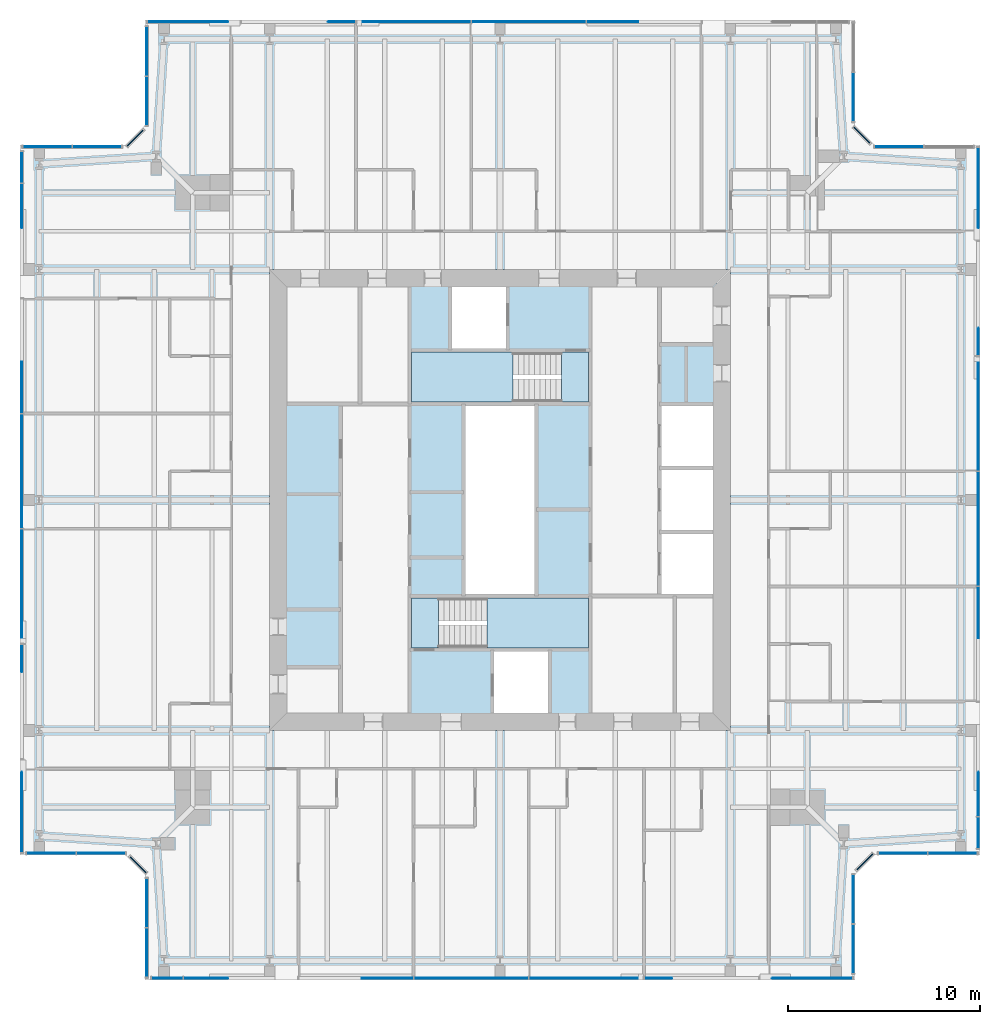
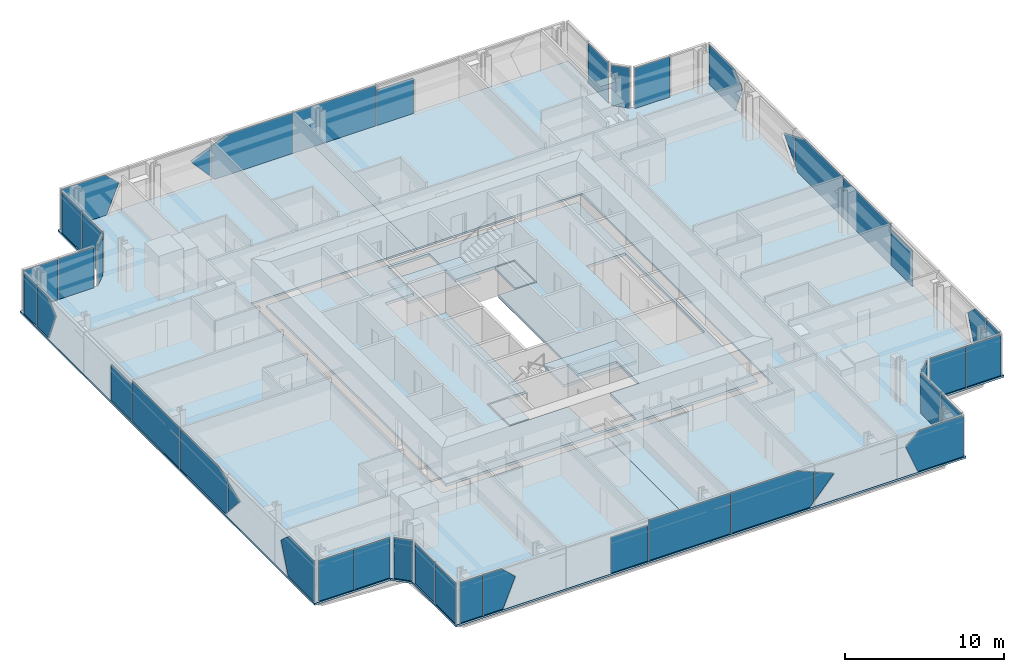
# One storey, part 10 of 18: 44 plates, 7 slabs, 18 elements without a shape of their own.
"""IFC4 building model written with IfcOpenShell, lengths in metres."""

from ifc_helpers import new_model, si_unit, direction, frame, origin, origin_2d, place, context, subcontext, project, spatial, polyline, rectangle, outline, extrude, material, layer, layer_set, type_object, element, aggregate, save


model = new_model("IFC4")

# Units and contexts
model_context = context("Model", 3, precision=1e-05, world=origin(), true_north=direction((0.0, 1.0)))
body_context = subcontext(model_context, "Body", "Model", "MODEL_VIEW")
ifc_project = project(units=[si_unit("LENGTHUNIT", "METRE"), si_unit("AREAUNIT", "SQUARE_METRE"), si_unit("VOLUMEUNIT", "CUBIC_METRE"), si_unit("PLANEANGLEUNIT", "RADIAN"), si_unit("MASSUNIT", "GRAM", prefix="KILO")], contexts=[model_context])

# Site, building, storey
site_placement = place(None, origin())
site = spatial("IfcSite", under=ifc_project, at=site_placement, CompositionType="ELEMENT")
building_placement = place(site_placement, origin())
building = spatial("IfcBuilding", under=site, at=building_placement, Name="Fenwick Lantern Interchange", CompositionType="ELEMENT")
storey_placement = place(building_placement, frame((0.0, 0.0, 293.39990234375)))
storey = spatial("IfcBuildingStorey", under=building, at=storey_placement, Name="L71", CompositionType="ELEMENT", Elevation=293.39990234375)

# Slabs
ifc_material_1 = material(Name="Concrete f'c 35 MPa", Category="concrete")
ifc_layer_1 = layer(ifc_material_1, 0.199951171875)
ifc_layer_set_1 = layer_set([ifc_layer_1], Name="CORE FLOOR SLAB 200")
slab_type_1 = type_object("IfcSlabType", Name="CORE FLOOR SLAB 200", PredefinedType="FLOOR", material=ifc_layer_set_1)
slab_1_placement = place(storey_placement, frame((0.0, 0.0, -0.199951171875)))
element("IfcSlab", 1, at=slab_1_placement, inside=storey, type_object=slab_type_1, Name="L71/SLAB/CORE", PredefinedType="FLOOR", context=body_context, shape_type="SweptSolid", body=[
    extrude(outline(polyline([(13.699951171875, 36.300048828125), (36.300048828125, 36.300048828125), (36.300048828125, 13.699951171875), (13.699951171875, 13.699951171875), (13.699951171875, 36.300048828125)]), holes=[polyline([(24.60009765625, 13.89990234375), (27.60009765625, 13.89990234375), (27.60009765625, 17.199951171875), (29.699951171875, 17.199951171875), (29.699951171875, 20.0), (26.89990234375, 20.0), (26.89990234375, 30.0), (29.699951171875, 30.0), (29.699951171875, 32.800048828125), (25.39990234375, 32.800048828125), (25.39990234375, 36.10009765625), (22.39990234375, 36.10009765625), (22.39990234375, 32.800048828125), (20.300048828125, 32.800048828125), (20.300048828125, 30.0), (23.10009765625, 30.0), (23.10009765625, 20.0), (20.300048828125, 20.0), (20.300048828125, 17.199951171875), (24.60009765625, 17.199951171875), (24.60009765625, 13.89990234375)]), polyline([(33.300048828125, 20.0), (36.10009765625, 20.0), (36.10009765625, 23.333251953125), (36.10009765625, 26.666748046875), (36.10009765625, 30.0), (33.300048828125, 30.0), (33.300048828125, 26.666748046875), (33.300048828125, 23.333251953125), (33.300048828125, 20.0)])]), origin(), (0.0, 0.0, 1.0), 0.199951171875),
])
ifc_material_2 = material(Name="Concrete f'c 35 MPa", Category="concrete")
ifc_layer_2 = layer(ifc_material_2, 0.14990234375)
ifc_layer_set_2 = layer_set([ifc_layer_2], Name="Concrete f'c 35 MPa")
slab_type_2 = type_object("IfcSlabType", Name="FLOOR SLAB 150", PredefinedType="FLOOR", material=ifc_layer_set_2)
slab_2_placement = place(storey_placement, frame((0.0, 0.0, -0.14990234375)))
element("IfcSlab", 2, at=slab_2_placement, inside=storey, type_object=slab_type_2, Name="L71/SLAB/FW", PredefinedType="FLOOR", context=body_context, shape_type="SweptSolid", body=[
    extrude(outline(polyline([(6.5, 0.0), (6.5, 5.5), (5.5, 6.5), (0.0, 6.5), (0.0, 43.5), (5.5, 43.5), (6.5, 44.5), (6.5, 50.0), (25.0, 50.0), (25.0, 37.0), (13.0, 37.0), (13.0, 13.0), (25.0, 13.0), (25.0, 0.0), (6.5, 0.0)])), origin(), (0.0, 0.0, 1.0), 0.14990234375),
])
slab_3_placement = place(storey_placement, frame((0.0, 0.0, -0.14990234375)))
element("IfcSlab", 3, at=slab_3_placement, inside=storey, type_object=slab_type_2, Name="L71/SLAB/FE", PredefinedType="FLOOR", context=body_context, shape_type="SweptSolid", body=[
    extrude(outline(polyline([(43.5, 50.0), (43.5, 44.5), (44.5, 43.5), (50.0, 43.5), (50.0, 6.5), (44.5, 6.5), (43.5, 5.5), (43.5, 0.0), (25.0, 0.0), (25.0, 13.0), (37.0, 13.0), (37.0, 37.0), (25.0, 37.0), (25.0, 50.0), (43.5, 50.0)])), origin(), (0.0, 0.0, 1.0), 0.14990234375),
])

# Curtain wall, plates
ifc_material_3 = material(Name="Aluminium curtain wall frame", Category="aluminium")
curtain_wall_type = type_object("IfcCurtainWallType", Name="HOTEL CURTAIN WALL", PredefinedType="USERDEFINED", material=ifc_material_3)
curtain_wall_1_placement = place(storey_placement, origin())
curtain_wall_1 = element("IfcCurtainWall", 4, at=curtain_wall_1_placement, inside=storey, type_object=curtain_wall_type, Name="Hotel curtain wall 01", ObjectType="HOTEL CURTAIN WALL", PredefinedType="USERDEFINED")
ifc_material_4 = material(Name="Vision glass, acoustic laminated double glazed unit", Category="glass")
ifc_layer_3 = layer(ifc_material_4, 0.052001953125)
ifc_layer_set_3 = layer_set([ifc_layer_3], Name="HOTEL CURTAIN WALL PANEL 52")
plate_type = type_object("IfcPlateType", Name="HOTEL CURTAIN WALL PANEL 52", PredefinedType="CURTAIN_PANEL", material=ifc_layer_set_3)
plate_1_placement = place(storey_placement, frame((7.6650390625, 0.10009765625, 0.0), z_axis=(0.0, 0.0, 1.0), x_axis=(1.0, 0.0, 0.0)))
plate_1 = element("IfcPlate", 5, at=plate_1_placement, type_object=plate_type, Name="L71/CW/01/P00", PredefinedType="CURTAIN_PANEL", context=body_context, shape_type="SweptSolid", body=[
    extrude(rectangle(XDim=1.610107421875, YDim=0.052001953125, at=origin_2d()), origin(), (0.0, 0.0, 1.0), 3.10009765625),
])
plate_2_placement = place(storey_placement, frame((6.60009765625, 0.10009765625, 0.0), z_axis=(0.0, 0.0, 1.0), x_axis=(1.0, 0.0, 0.0)))
plate_2 = element("IfcPlate", 6, at=plate_2_placement, type_object=plate_type, Name="L71/CW/01/P01a", PredefinedType="CURTAIN_PANEL", context=body_context, shape_type="SweptSolid", body=[
    extrude(outline(polyline([(1.929931640625, 0.0), (3.36328125, 0.0), (4.258056640625, 2.193603515625), (3.260986328125, 3.10009765625), (1.929931640625, 3.10009765625), (1.929931640625, 0.0)])), frame((0.0, 0.02587890625, 0.0), z_axis=(0.0, -1.0, 0.0), x_axis=(1.0, 0.0, 0.0)), (0.0, 0.0, 1.0), 0.052001953125),
])
plate_3_placement = place(storey_placement, frame((6.60009765625, 0.10009765625, 0.0), z_axis=(0.0, 0.0, 1.0), x_axis=(1.0, 0.0, 0.0)))
plate_3 = element("IfcPlate", 7, at=plate_3_placement, type_object=plate_type, Name="L71/CW/01/P02a", PredefinedType="CURTAIN_PANEL", context=body_context, shape_type="SweptSolid", body=[
    extrude(outline(polyline([(11.193603515625, 0.0), (13.8701171875, 0.0), (13.8701171875, 2.7265625), (11.193603515625, 2.7265625), (11.193603515625, 0.0)])), frame((0.0, 0.02587890625, 0.0), z_axis=(0.0, -1.0, 0.0), x_axis=(1.0, 0.0, 0.0)), (0.0, 0.0, 1.0), 0.052001953125),
])
plate_4_placement = place(storey_placement, frame((23.5, 0.10009765625, 0.0), z_axis=(0.0, 0.0, 1.0), x_axis=(1.0, 0.0, 0.0)))
plate_4 = element("IfcPlate", 8, at=plate_4_placement, type_object=plate_type, Name="L71/CW/01/P03", PredefinedType="CURTAIN_PANEL", context=body_context, shape_type="SweptSolid", body=[
    extrude(rectangle(XDim=5.93994140625, YDim=0.052001953125, at=origin_2d()), origin(), (0.0, 0.0, 1.0), 3.10009765625),
])
plate_5_placement = place(storey_placement, frame((6.60009765625, 0.10009765625, 0.0), z_axis=(0.0, 0.0, 1.0), x_axis=(1.0, 0.0, 0.0)))
plate_5 = element("IfcPlate", 9, at=plate_5_placement, type_object=plate_type, Name="L71/CW/01/P04a", PredefinedType="CURTAIN_PANEL", context=body_context, shape_type="SweptSolid", body=[
    extrude(outline(polyline([(19.929931640625, 0.0), (25.6064453125, 0.0), (25.8701171875, 0.296142578125), (25.8701171875, 2.61669921875), (24.709716796875, 3.10009765625), (19.929931640625, 3.10009765625), (19.929931640625, 0.0)])), frame((0.0, 0.02587890625, 0.0), z_axis=(0.0, -1.0, 0.0), x_axis=(1.0, 0.0, 0.0)), (0.0, 0.0, 1.0), 0.052001953125),
])
plate_6_placement = place(storey_placement, frame((6.60009765625, 0.10009765625, 0.363525390625), z_axis=(0.0, 0.0, 1.0), x_axis=(1.0, 0.0, 0.0)))
plate_6 = element("IfcPlate", 10, at=plate_6_placement, type_object=plate_type, Name="L71/CW/01/P05a", PredefinedType="CURTAIN_PANEL", context=body_context, shape_type="SweptSolid", body=[
    extrude(outline(polyline([(25.929931640625, 0.0), (27.37646484375, 1.62548828125), (25.929931640625, 2.22802734375), (25.929931640625, 0.0)])), frame((0.0, 0.02587890625, 0.0), z_axis=(0.0, -1.0, 0.0), x_axis=(1.0, 0.0, 0.0)), (0.0, 0.0, 1.0), 0.052001953125),
])
plate_7_placement = place(storey_placement, frame((6.60009765625, 0.10009765625, 0.0), z_axis=(0.0, 0.0, 1.0), x_axis=(1.0, 0.0, 0.0)))
plate_7 = element("IfcPlate", 11, at=plate_7_placement, type_object=plate_type, Name="L71/CW/01/P06a", PredefinedType="CURTAIN_PANEL", context=body_context, shape_type="SweptSolid", body=[
    extrude(outline(polyline([(33.4365234375, 0.0), (36.739990234375, 0.0), (36.739990234375, 3.10009765625), (33.5390625, 3.10009765625), (32.5419921875, 2.193603515625), (33.4365234375, 0.0)])), frame((0.0, 0.02587890625, 0.0), z_axis=(0.0, -1.0, 0.0), x_axis=(1.0, 0.0, 0.0)), (0.0, 0.0, 1.0), 0.052001953125),
])
aggregate(curtain_wall_1, [plate_1, plate_2, plate_3, plate_4, plate_5, plate_6, plate_7])

curtain_wall_2_placement = place(storey_placement, origin())
curtain_wall_2 = element("IfcCurtainWall", 12, at=curtain_wall_2_placement, inside=storey, type_object=curtain_wall_type, Name="Hotel curtain wall 02", ObjectType="HOTEL CURTAIN WALL", PredefinedType="USERDEFINED")
plate_8_placement = place(storey_placement, frame((43.39990234375, 1.625244140625, 0.0), z_axis=(0.0, 0.0, 1.0), x_axis=(0.0, 1.0, 0.0)))
plate_8 = element("IfcPlate", 13, at=plate_8_placement, type_object=plate_type, Name="L71/CW/02/P00", PredefinedType="CURTAIN_PANEL", context=body_context, shape_type="SweptSolid", body=[
    extrude(rectangle(XDim=2.53076171875, YDim=0.052001953125, at=origin_2d()), origin(), (0.0, 0.0, 1.0), 3.10009765625),
])
plate_9_placement = place(storey_placement, frame((43.39990234375, 4.216064453125, 0.0), z_axis=(0.0, 0.0, 1.0), x_axis=(0.0, 1.0, 0.0)))
plate_9 = element("IfcPlate", 14, at=plate_9_placement, type_object=plate_type, Name="L71/CW/02/P01", PredefinedType="CURTAIN_PANEL", context=body_context, shape_type="SweptSolid", body=[
    extrude(rectangle(XDim=2.53076171875, YDim=0.052001953125, at=origin_2d()), origin(), (0.0, 0.0, 1.0), 3.10009765625),
])
aggregate(curtain_wall_2, [plate_8, plate_9])

# Curtain wall, plate
curtain_wall_3_placement = place(storey_placement, origin())
curtain_wall_3 = element("IfcCurtainWall", 15, at=curtain_wall_3_placement, inside=storey, type_object=curtain_wall_type, Name="Hotel curtain wall 03", ObjectType="HOTEL CURTAIN WALL", PredefinedType="USERDEFINED")
plate_10_placement = place(storey_placement, frame((44.0, 6.141357421875, 0.0), z_axis=(0.0, 0.0, 1.0), x_axis=(0.707106781187, 0.707106781187, 0.0)))
plate_10 = element("IfcPlate", 16, at=plate_10_placement, type_object=plate_type, Name="L71/CW/03/P00", PredefinedType="CURTAIN_PANEL", context=body_context, shape_type="SweptSolid", body=[
    extrude(rectangle(XDim=1.177001953125, YDim=0.052001953125, at=origin_2d()), origin(), (0.0, 0.0, 1.0), 3.10009765625),
])
aggregate(curtain_wall_3, [plate_10])

# Curtain wall, plates
curtain_wall_4_placement = place(storey_placement, origin())
curtain_wall_4 = element("IfcCurtainWall", 17, at=curtain_wall_4_placement, inside=storey, type_object=curtain_wall_type, Name="Hotel curtain wall 04", ObjectType="HOTEL CURTAIN WALL", PredefinedType="USERDEFINED")
plate_11_placement = place(storey_placement, frame((45.98388671875, 6.60009765625, 0.0), z_axis=(0.0, 0.0, 1.0), x_axis=(1.0, 0.0, 0.0)))
plate_11 = element("IfcPlate", 18, at=plate_11_placement, type_object=plate_type, Name="L71/CW/04/P00", PredefinedType="CURTAIN_PANEL", context=body_context, shape_type="SweptSolid", body=[
    extrude(rectangle(XDim=2.53076171875, YDim=0.052001953125, at=origin_2d()), origin(), (0.0, 0.0, 1.0), 3.10009765625),
])
plate_12_placement = place(storey_placement, frame((48.57470703125, 6.60009765625, 0.0), z_axis=(0.0, 0.0, 1.0), x_axis=(1.0, 0.0, 0.0)))
plate_12 = element("IfcPlate", 19, at=plate_12_placement, type_object=plate_type, Name="L71/CW/04/P01", PredefinedType="CURTAIN_PANEL", context=body_context, shape_type="SweptSolid", body=[
    extrude(rectangle(XDim=2.53076171875, YDim=0.052001953125, at=origin_2d()), origin(), (0.0, 0.0, 1.0), 3.10009765625),
])
aggregate(curtain_wall_4, [plate_11, plate_12])

curtain_wall_5_placement = place(storey_placement, origin())
curtain_wall_5 = element("IfcCurtainWall", 20, at=curtain_wall_5_placement, inside=storey, type_object=curtain_wall_type, Name="Hotel curtain wall 05", ObjectType="HOTEL CURTAIN WALL", PredefinedType="USERDEFINED")
plate_13_placement = place(storey_placement, frame((49.89990234375, 7.6650390625, 0.0), z_axis=(0.0, 0.0, 1.0), x_axis=(0.0, 1.0, 0.0)))
plate_13 = element("IfcPlate", 21, at=plate_13_placement, type_object=plate_type, Name="L71/CW/05/P00", PredefinedType="CURTAIN_PANEL", context=body_context, shape_type="SweptSolid", body=[
    extrude(rectangle(XDim=1.610107421875, YDim=0.052001953125, at=origin_2d()), origin(), (0.0, 0.0, 1.0), 3.10009765625),
])
plate_14_placement = place(storey_placement, frame((49.89990234375, 6.60009765625, 0.0), z_axis=(0.0, 0.0, 1.0), x_axis=(0.0, 1.0, 0.0)))
plate_14 = element("IfcPlate", 22, at=plate_14_placement, type_object=plate_type, Name="L71/CW/05/P01a", PredefinedType="CURTAIN_PANEL", context=body_context, shape_type="SweptSolid", body=[
    extrude(outline(polyline([(1.929931640625, 0.0), (3.36328125, 0.0), (4.258056640625, 2.193603515625), (3.260986328125, 3.10009765625), (1.929931640625, 3.10009765625), (1.929931640625, 0.0)])), frame((0.0, 0.02587890625, 0.0), z_axis=(0.0, -1.0, 0.0), x_axis=(1.0, 0.0, 0.0)), (0.0, 0.0, 1.0), 0.052001953125),
])
plate_15_placement = place(storey_placement, frame((49.89990234375, 6.60009765625, 0.0), z_axis=(0.0, 0.0, 1.0), x_axis=(0.0, 1.0, 0.0)))
plate_15 = element("IfcPlate", 23, at=plate_15_placement, type_object=plate_type, Name="L71/CW/05/P02a", PredefinedType="CURTAIN_PANEL", context=body_context, shape_type="SweptSolid", body=[
    extrude(outline(polyline([(11.193603515625, 0.0), (13.8701171875, 0.0), (13.8701171875, 2.7265625), (11.193603515625, 2.7265625), (11.193603515625, 0.0)])), frame((0.0, 0.02587890625, 0.0), z_axis=(0.0, -1.0, 0.0), x_axis=(1.0, 0.0, 0.0)), (0.0, 0.0, 1.0), 0.052001953125),
])
plate_16_placement = place(storey_placement, frame((49.89990234375, 23.5, 0.0), z_axis=(0.0, 0.0, 1.0), x_axis=(0.0, 1.0, 0.0)))
plate_16 = element("IfcPlate", 24, at=plate_16_placement, type_object=plate_type, Name="L71/CW/05/P03", PredefinedType="CURTAIN_PANEL", context=body_context, shape_type="SweptSolid", body=[
    extrude(rectangle(XDim=5.93994140625, YDim=0.052001953125, at=origin_2d()), origin(), (0.0, 0.0, 1.0), 3.10009765625),
])
plate_17_placement = place(storey_placement, frame((49.89990234375, 6.60009765625, 0.0), z_axis=(0.0, 0.0, 1.0), x_axis=(0.0, 1.0, 0.0)))
plate_17 = element("IfcPlate", 25, at=plate_17_placement, type_object=plate_type, Name="L71/CW/05/P04a", PredefinedType="CURTAIN_PANEL", context=body_context, shape_type="SweptSolid", body=[
    extrude(outline(polyline([(19.929931640625, 0.0), (25.6064453125, 0.0), (25.8701171875, 0.296142578125), (25.8701171875, 2.61669921875), (24.709716796875, 3.10009765625), (19.929931640625, 3.10009765625), (19.929931640625, 0.0)])), frame((0.0, 0.02587890625, 0.0), z_axis=(0.0, -1.0, 0.0), x_axis=(1.0, 0.0, 0.0)), (0.0, 0.0, 1.0), 0.052001953125),
])
plate_18_placement = place(storey_placement, frame((49.89990234375, 6.60009765625, 0.363525390625), z_axis=(0.0, 0.0, 1.0), x_axis=(0.0, 1.0, 0.0)))
plate_18 = element("IfcPlate", 26, at=plate_18_placement, type_object=plate_type, Name="L71/CW/05/P05a", PredefinedType="CURTAIN_PANEL", context=body_context, shape_type="SweptSolid", body=[
    extrude(outline(polyline([(25.929931640625, 0.0), (27.37646484375, 1.62548828125), (25.929931640625, 2.22802734375), (25.929931640625, 0.0)])), frame((0.0, 0.02587890625, 0.0), z_axis=(0.0, -1.0, 0.0), x_axis=(1.0, 0.0, 0.0)), (0.0, 0.0, 1.0), 0.052001953125),
])
plate_19_placement = place(storey_placement, frame((49.89990234375, 6.60009765625, 0.0), z_axis=(0.0, 0.0, 1.0), x_axis=(0.0, 1.0, 0.0)))
plate_19 = element("IfcPlate", 27, at=plate_19_placement, type_object=plate_type, Name="L71/CW/05/P06a", PredefinedType="CURTAIN_PANEL", context=body_context, shape_type="SweptSolid", body=[
    extrude(outline(polyline([(33.4365234375, 0.0), (36.739990234375, 0.0), (36.739990234375, 3.10009765625), (33.5390625, 3.10009765625), (32.5419921875, 2.193603515625), (33.4365234375, 0.0)])), frame((0.0, 0.02587890625, 0.0), z_axis=(0.0, -1.0, 0.0), x_axis=(1.0, 0.0, 0.0)), (0.0, 0.0, 1.0), 0.052001953125),
])
aggregate(curtain_wall_5, [plate_13, plate_14, plate_15, plate_16, plate_17, plate_18, plate_19])

# Curtain wall, plate
curtain_wall_6_placement = place(storey_placement, origin())
curtain_wall_6 = element("IfcCurtainWall", 28, at=curtain_wall_6_placement, inside=storey, type_object=curtain_wall_type, Name="Hotel curtain wall 06", ObjectType="HOTEL CURTAIN WALL", PredefinedType="USERDEFINED")
plate_20_placement = place(storey_placement, frame((45.783935546875, 43.39990234375, 0.0), z_axis=(0.0, 0.0, 1.0), x_axis=(-1.0, 0.0, 0.0)))
plate_20 = element("IfcPlate", 29, at=plate_20_placement, type_object=plate_type, Name="L71/CW/06/P01", PredefinedType="CURTAIN_PANEL", context=body_context, shape_type="SweptSolid", body=[
    extrude(rectangle(XDim=2.53076171875, YDim=0.052001953125, at=origin_2d()), origin(), (0.0, 0.0, 1.0), 3.10009765625),
])
aggregate(curtain_wall_6, [plate_20])

curtain_wall_7_placement = place(storey_placement, origin())
curtain_wall_7 = element("IfcCurtainWall", 30, at=curtain_wall_7_placement, inside=storey, type_object=curtain_wall_type, Name="Hotel curtain wall 07", ObjectType="HOTEL CURTAIN WALL", PredefinedType="USERDEFINED")
plate_21_placement = place(storey_placement, frame((43.858642578125, 44.0, 0.0), z_axis=(0.0, 0.0, 1.0), x_axis=(-0.707106781187, 0.707106781187, 0.0)))
plate_21 = element("IfcPlate", 31, at=plate_21_placement, type_object=plate_type, Name="L71/CW/07/P00", PredefinedType="CURTAIN_PANEL", context=body_context, shape_type="SweptSolid", body=[
    extrude(rectangle(XDim=1.177001953125, YDim=0.052001953125, at=origin_2d()), origin(), (0.0, 0.0, 1.0), 3.10009765625),
])
aggregate(curtain_wall_7, [plate_21])

curtain_wall_8_placement = place(storey_placement, origin())
curtain_wall_8 = element("IfcCurtainWall", 32, at=curtain_wall_8_placement, inside=storey, type_object=curtain_wall_type, Name="Hotel curtain wall 08", ObjectType="HOTEL CURTAIN WALL", PredefinedType="USERDEFINED")
plate_22_placement = place(storey_placement, frame((43.39990234375, 45.98388671875, 0.0), z_axis=(0.0, 0.0, 1.0), x_axis=(0.0, 1.0, 0.0)))
plate_22 = element("IfcPlate", 33, at=plate_22_placement, type_object=plate_type, Name="L71/CW/08/P00", PredefinedType="CURTAIN_PANEL", context=body_context, shape_type="SweptSolid", body=[
    extrude(rectangle(XDim=2.53076171875, YDim=0.052001953125, at=origin_2d()), origin(), (0.0, 0.0, 1.0), 3.10009765625),
])
aggregate(curtain_wall_8, [plate_22])

# Curtain wall, plates
curtain_wall_9_placement = place(storey_placement, origin())
curtain_wall_9 = element("IfcCurtainWall", 34, at=curtain_wall_9_placement, inside=storey, type_object=curtain_wall_type, Name="Hotel curtain wall 09", ObjectType="HOTEL CURTAIN WALL", PredefinedType="USERDEFINED")
plate_23_placement = place(storey_placement, frame((43.39990234375, 49.89990234375, 0.0), z_axis=(0.0, 0.0, 1.0), x_axis=(-1.0, 0.0, 0.0)))
plate_23 = element("IfcPlate", 35, at=plate_23_placement, type_object=plate_type, Name="L71/CW/09/P02a", PredefinedType="CURTAIN_PANEL", context=body_context, shape_type="SweptSolid", body=[
    extrude(outline(polyline([(11.193603515625, 0.0), (13.8701171875, 0.0), (13.8701171875, 2.7265625), (11.193603515625, 2.7265625), (11.193603515625, 0.0)])), frame((0.0, 0.02587890625, 0.0), z_axis=(0.0, -1.0, 0.0), x_axis=(1.0, 0.0, 0.0)), (0.0, 0.0, 1.0), 0.052001953125),
])
plate_24_placement = place(storey_placement, frame((26.5, 49.89990234375, 0.0), z_axis=(0.0, 0.0, 1.0), x_axis=(-1.0, 0.0, 0.0)))
plate_24 = element("IfcPlate", 36, at=plate_24_placement, type_object=plate_type, Name="L71/CW/09/P03", PredefinedType="CURTAIN_PANEL", context=body_context, shape_type="SweptSolid", body=[
    extrude(rectangle(XDim=5.93994140625, YDim=0.052001953125, at=origin_2d()), origin(), (0.0, 0.0, 1.0), 3.10009765625),
])
plate_25_placement = place(storey_placement, frame((43.39990234375, 49.89990234375, 0.0), z_axis=(0.0, 0.0, 1.0), x_axis=(-1.0, 0.0, 0.0)))
plate_25 = element("IfcPlate", 37, at=plate_25_placement, type_object=plate_type, Name="L71/CW/09/P04a", PredefinedType="CURTAIN_PANEL", context=body_context, shape_type="SweptSolid", body=[
    extrude(outline(polyline([(19.929931640625, 0.0), (25.6064453125, 0.0), (25.8701171875, 0.296142578125), (25.8701171875, 2.61669921875), (24.709716796875, 3.10009765625), (19.929931640625, 3.10009765625), (19.929931640625, 0.0)])), frame((0.0, 0.02587890625, 0.0), z_axis=(0.0, -1.0, 0.0), x_axis=(1.0, 0.0, 0.0)), (0.0, 0.0, 1.0), 0.052001953125),
])
plate_26_placement = place(storey_placement, frame((43.39990234375, 49.89990234375, 0.363525390625), z_axis=(0.0, 0.0, 1.0), x_axis=(-1.0, 0.0, 0.0)))
plate_26 = element("IfcPlate", 38, at=plate_26_placement, type_object=plate_type, Name="L71/CW/09/P05a", PredefinedType="CURTAIN_PANEL", context=body_context, shape_type="SweptSolid", body=[
    extrude(outline(polyline([(25.929931640625, 0.0), (27.37646484375, 1.62548828125), (25.929931640625, 2.22802734375), (25.929931640625, 0.0)])), frame((0.0, 0.02587890625, 0.0), z_axis=(0.0, -1.0, 0.0), x_axis=(1.0, 0.0, 0.0)), (0.0, 0.0, 1.0), 0.052001953125),
])
plate_27_placement = place(storey_placement, frame((43.39990234375, 49.89990234375, 0.0), z_axis=(0.0, 0.0, 1.0), x_axis=(-1.0, 0.0, 0.0)))
plate_27 = element("IfcPlate", 39, at=plate_27_placement, type_object=plate_type, Name="L71/CW/09/P06a", PredefinedType="CURTAIN_PANEL", context=body_context, shape_type="SweptSolid", body=[
    extrude(outline(polyline([(33.4365234375, 0.0), (36.739990234375, 0.0), (36.739990234375, 3.10009765625), (33.5390625, 3.10009765625), (32.5419921875, 2.193603515625), (33.4365234375, 0.0)])), frame((0.0, 0.02587890625, 0.0), z_axis=(0.0, -1.0, 0.0), x_axis=(1.0, 0.0, 0.0)), (0.0, 0.0, 1.0), 0.052001953125),
])
aggregate(curtain_wall_9, [plate_23, plate_24, plate_25, plate_26, plate_27])

curtain_wall_10_placement = place(storey_placement, origin())
curtain_wall_10 = element("IfcCurtainWall", 40, at=curtain_wall_10_placement, inside=storey, type_object=curtain_wall_type, Name="Hotel curtain wall 10", ObjectType="HOTEL CURTAIN WALL", PredefinedType="USERDEFINED")
plate_28_placement = place(storey_placement, frame((6.60009765625, 48.374755859375, 0.0), z_axis=(0.0, 0.0, 1.0), x_axis=(0.0, -1.0, 0.0)))
plate_28 = element("IfcPlate", 41, at=plate_28_placement, type_object=plate_type, Name="L71/CW/10/P00", PredefinedType="CURTAIN_PANEL", context=body_context, shape_type="SweptSolid", body=[
    extrude(rectangle(XDim=2.53076171875, YDim=0.052001953125, at=origin_2d()), origin(), (0.0, 0.0, 1.0), 3.10009765625),
])
plate_29_placement = place(storey_placement, frame((6.60009765625, 45.783935546875, 0.0), z_axis=(0.0, 0.0, 1.0), x_axis=(0.0, -1.0, 0.0)))
plate_29 = element("IfcPlate", 42, at=plate_29_placement, type_object=plate_type, Name="L71/CW/10/P01", PredefinedType="CURTAIN_PANEL", context=body_context, shape_type="SweptSolid", body=[
    extrude(rectangle(XDim=2.53076171875, YDim=0.052001953125, at=origin_2d()), origin(), (0.0, 0.0, 1.0), 3.10009765625),
])
aggregate(curtain_wall_10, [plate_28, plate_29])

# Curtain wall, plate
curtain_wall_11_placement = place(storey_placement, origin())
curtain_wall_11 = element("IfcCurtainWall", 43, at=curtain_wall_11_placement, inside=storey, type_object=curtain_wall_type, Name="Hotel curtain wall 11", ObjectType="HOTEL CURTAIN WALL", PredefinedType="USERDEFINED")
plate_30_placement = place(storey_placement, frame((6.0, 43.858642578125, 0.0), z_axis=(0.0, 0.0, 1.0), x_axis=(-0.707106781187, -0.707106781187, 0.0)))
plate_30 = element("IfcPlate", 44, at=plate_30_placement, type_object=plate_type, Name="L71/CW/11/P00", PredefinedType="CURTAIN_PANEL", context=body_context, shape_type="SweptSolid", body=[
    extrude(rectangle(XDim=1.177001953125, YDim=0.052001953125, at=origin_2d()), origin(), (0.0, 0.0, 1.0), 3.10009765625),
])
aggregate(curtain_wall_11, [plate_30])

# Curtain wall, plates
curtain_wall_12_placement = place(storey_placement, origin())
curtain_wall_12 = element("IfcCurtainWall", 45, at=curtain_wall_12_placement, inside=storey, type_object=curtain_wall_type, Name="Hotel curtain wall 12", ObjectType="HOTEL CURTAIN WALL", PredefinedType="USERDEFINED")
plate_31_placement = place(storey_placement, frame((4.01611328125, 43.39990234375, 0.0), z_axis=(0.0, 0.0, 1.0), x_axis=(-1.0, 0.0, 0.0)))
plate_31 = element("IfcPlate", 46, at=plate_31_placement, type_object=plate_type, Name="L71/CW/12/P00", PredefinedType="CURTAIN_PANEL", context=body_context, shape_type="SweptSolid", body=[
    extrude(rectangle(XDim=2.53076171875, YDim=0.052001953125, at=origin_2d()), origin(), (0.0, 0.0, 1.0), 3.10009765625),
])
plate_32_placement = place(storey_placement, frame((1.42529296875, 43.39990234375, 0.0), z_axis=(0.0, 0.0, 1.0), x_axis=(-1.0, 0.0, 0.0)))
plate_32 = element("IfcPlate", 47, at=plate_32_placement, type_object=plate_type, Name="L71/CW/12/P01", PredefinedType="CURTAIN_PANEL", context=body_context, shape_type="SweptSolid", body=[
    extrude(rectangle(XDim=2.53076171875, YDim=0.052001953125, at=origin_2d()), origin(), (0.0, 0.0, 1.0), 3.10009765625),
])
aggregate(curtain_wall_12, [plate_31, plate_32])

curtain_wall_13_placement = place(storey_placement, origin())
curtain_wall_13 = element("IfcCurtainWall", 48, at=curtain_wall_13_placement, inside=storey, type_object=curtain_wall_type, Name="Hotel curtain wall 13", ObjectType="HOTEL CURTAIN WALL", PredefinedType="USERDEFINED")
plate_33_placement = place(storey_placement, frame((0.10009765625, 42.3349609375, 0.0), z_axis=(0.0, 0.0, 1.0), x_axis=(0.0, -1.0, 0.0)))
plate_33 = element("IfcPlate", 49, at=plate_33_placement, type_object=plate_type, Name="L71/CW/13/P00", PredefinedType="CURTAIN_PANEL", context=body_context, shape_type="SweptSolid", body=[
    extrude(rectangle(XDim=1.610107421875, YDim=0.052001953125, at=origin_2d()), origin(), (0.0, 0.0, 1.0), 3.10009765625),
])
plate_34_placement = place(storey_placement, frame((0.10009765625, 43.39990234375, 0.0), z_axis=(0.0, 0.0, 1.0), x_axis=(0.0, -1.0, 0.0)))
plate_34 = element("IfcPlate", 50, at=plate_34_placement, type_object=plate_type, Name="L71/CW/13/P01a", PredefinedType="CURTAIN_PANEL", context=body_context, shape_type="SweptSolid", body=[
    extrude(outline(polyline([(1.929931640625, 0.0), (3.36328125, 0.0), (4.258056640625, 2.193603515625), (3.260986328125, 3.10009765625), (1.929931640625, 3.10009765625), (1.929931640625, 0.0)])), frame((0.0, 0.02587890625, 0.0), z_axis=(0.0, -1.0, 0.0), x_axis=(1.0, 0.0, 0.0)), (0.0, 0.0, 1.0), 0.052001953125),
])
plate_35_placement = place(storey_placement, frame((0.10009765625, 43.39990234375, 0.0), z_axis=(0.0, 0.0, 1.0), x_axis=(0.0, -1.0, 0.0)))
plate_35 = element("IfcPlate", 51, at=plate_35_placement, type_object=plate_type, Name="L71/CW/13/P02a", PredefinedType="CURTAIN_PANEL", context=body_context, shape_type="SweptSolid", body=[
    extrude(outline(polyline([(11.193603515625, 0.0), (13.8701171875, 0.0), (13.8701171875, 2.7265625), (11.193603515625, 2.7265625), (11.193603515625, 0.0)])), frame((0.0, 0.02587890625, 0.0), z_axis=(0.0, -1.0, 0.0), x_axis=(1.0, 0.0, 0.0)), (0.0, 0.0, 1.0), 0.052001953125),
])
plate_36_placement = place(storey_placement, frame((0.10009765625, 26.5, 0.0), z_axis=(0.0, 0.0, 1.0), x_axis=(0.0, -1.0, 0.0)))
plate_36 = element("IfcPlate", 52, at=plate_36_placement, type_object=plate_type, Name="L71/CW/13/P03", PredefinedType="CURTAIN_PANEL", context=body_context, shape_type="SweptSolid", body=[
    extrude(rectangle(XDim=5.93994140625, YDim=0.052001953125, at=origin_2d()), origin(), (0.0, 0.0, 1.0), 3.10009765625),
])
plate_37_placement = place(storey_placement, frame((0.10009765625, 43.39990234375, 0.0), z_axis=(0.0, 0.0, 1.0), x_axis=(0.0, -1.0, 0.0)))
plate_37 = element("IfcPlate", 53, at=plate_37_placement, type_object=plate_type, Name="L71/CW/13/P04a", PredefinedType="CURTAIN_PANEL", context=body_context, shape_type="SweptSolid", body=[
    extrude(outline(polyline([(19.929931640625, 0.0), (25.6064453125, 0.0), (25.8701171875, 0.296142578125), (25.8701171875, 2.61669921875), (24.709716796875, 3.10009765625), (19.929931640625, 3.10009765625), (19.929931640625, 0.0)])), frame((0.0, 0.02587890625, 0.0), z_axis=(0.0, -1.0, 0.0), x_axis=(1.0, 0.0, 0.0)), (0.0, 0.0, 1.0), 0.052001953125),
])
plate_38_placement = place(storey_placement, frame((0.10009765625, 43.39990234375, 0.363525390625), z_axis=(0.0, 0.0, 1.0), x_axis=(0.0, -1.0, 0.0)))
plate_38 = element("IfcPlate", 54, at=plate_38_placement, type_object=plate_type, Name="L71/CW/13/P05a", PredefinedType="CURTAIN_PANEL", context=body_context, shape_type="SweptSolid", body=[
    extrude(outline(polyline([(25.929931640625, 0.0), (27.37646484375, 1.62548828125), (25.929931640625, 2.22802734375), (25.929931640625, 0.0)])), frame((0.0, 0.02587890625, 0.0), z_axis=(0.0, -1.0, 0.0), x_axis=(1.0, 0.0, 0.0)), (0.0, 0.0, 1.0), 0.052001953125),
])
plate_39_placement = place(storey_placement, frame((0.10009765625, 43.39990234375, 0.0), z_axis=(0.0, 0.0, 1.0), x_axis=(0.0, -1.0, 0.0)))
plate_39 = element("IfcPlate", 55, at=plate_39_placement, type_object=plate_type, Name="L71/CW/13/P06a", PredefinedType="CURTAIN_PANEL", context=body_context, shape_type="SweptSolid", body=[
    extrude(outline(polyline([(33.4365234375, 0.0), (36.739990234375, 0.0), (36.739990234375, 3.10009765625), (33.5390625, 3.10009765625), (32.5419921875, 2.193603515625), (33.4365234375, 0.0)])), frame((0.0, 0.02587890625, 0.0), z_axis=(0.0, -1.0, 0.0), x_axis=(1.0, 0.0, 0.0)), (0.0, 0.0, 1.0), 0.052001953125),
])
aggregate(curtain_wall_13, [plate_33, plate_34, plate_35, plate_36, plate_37, plate_38, plate_39])

curtain_wall_14_placement = place(storey_placement, origin())
curtain_wall_14 = element("IfcCurtainWall", 56, at=curtain_wall_14_placement, inside=storey, type_object=curtain_wall_type, Name="Hotel curtain wall 14", ObjectType="HOTEL CURTAIN WALL", PredefinedType="USERDEFINED")
plate_40_placement = place(storey_placement, frame((1.625244140625, 6.60009765625, 0.0), z_axis=(0.0, 0.0, 1.0), x_axis=(1.0, 0.0, 0.0)))
plate_40 = element("IfcPlate", 57, at=plate_40_placement, type_object=plate_type, Name="L71/CW/14/P00", PredefinedType="CURTAIN_PANEL", context=body_context, shape_type="SweptSolid", body=[
    extrude(rectangle(XDim=2.53076171875, YDim=0.052001953125, at=origin_2d()), origin(), (0.0, 0.0, 1.0), 3.10009765625),
])
plate_41_placement = place(storey_placement, frame((4.216064453125, 6.60009765625, 0.0), z_axis=(0.0, 0.0, 1.0), x_axis=(1.0, 0.0, 0.0)))
plate_41 = element("IfcPlate", 58, at=plate_41_placement, type_object=plate_type, Name="L71/CW/14/P01", PredefinedType="CURTAIN_PANEL", context=body_context, shape_type="SweptSolid", body=[
    extrude(rectangle(XDim=2.53076171875, YDim=0.052001953125, at=origin_2d()), origin(), (0.0, 0.0, 1.0), 3.10009765625),
])
aggregate(curtain_wall_14, [plate_40, plate_41])

# Curtain wall, plate
curtain_wall_15_placement = place(storey_placement, origin())
curtain_wall_15 = element("IfcCurtainWall", 59, at=curtain_wall_15_placement, inside=storey, type_object=curtain_wall_type, Name="Hotel curtain wall 15", ObjectType="HOTEL CURTAIN WALL", PredefinedType="USERDEFINED")
plate_42_placement = place(storey_placement, frame((6.141357421875, 6.0, 0.0), z_axis=(0.0, 0.0, 1.0), x_axis=(0.707106781187, -0.707106781187, 0.0)))
plate_42 = element("IfcPlate", 60, at=plate_42_placement, type_object=plate_type, Name="L71/CW/15/P00", PredefinedType="CURTAIN_PANEL", context=body_context, shape_type="SweptSolid", body=[
    extrude(rectangle(XDim=1.177001953125, YDim=0.052001953125, at=origin_2d()), origin(), (0.0, 0.0, 1.0), 3.10009765625),
])
aggregate(curtain_wall_15, [plate_42])

# Curtain wall, plates
curtain_wall_16_placement = place(storey_placement, origin())
curtain_wall_16 = element("IfcCurtainWall", 61, at=curtain_wall_16_placement, inside=storey, type_object=curtain_wall_type, Name="Hotel curtain wall 16", ObjectType="HOTEL CURTAIN WALL", PredefinedType="USERDEFINED")
plate_43_placement = place(storey_placement, frame((6.60009765625, 4.01611328125, 0.0), z_axis=(0.0, 0.0, 1.0), x_axis=(0.0, -1.0, 0.0)))
plate_43 = element("IfcPlate", 62, at=plate_43_placement, type_object=plate_type, Name="L71/CW/16/P00", PredefinedType="CURTAIN_PANEL", context=body_context, shape_type="SweptSolid", body=[
    extrude(rectangle(XDim=2.53076171875, YDim=0.052001953125, at=origin_2d()), origin(), (0.0, 0.0, 1.0), 3.10009765625),
])
plate_44_placement = place(storey_placement, frame((6.60009765625, 1.42529296875, 0.0), z_axis=(0.0, 0.0, 1.0), x_axis=(0.0, -1.0, 0.0)))
plate_44 = element("IfcPlate", 63, at=plate_44_placement, type_object=plate_type, Name="L71/CW/16/P01", PredefinedType="CURTAIN_PANEL", context=body_context, shape_type="SweptSolid", body=[
    extrude(rectangle(XDim=2.53076171875, YDim=0.052001953125, at=origin_2d()), origin(), (0.0, 0.0, 1.0), 3.10009765625),
])
aggregate(curtain_wall_16, [plate_43, plate_44])

# Stair, slabs
ifc_material_5 = material(Name="Precast concrete f'c 35 MPa", Category="concrete")
stair_type = type_object("IfcStairType", Name="EXIT STAIR 1200", PredefinedType="HALF_TURN_STAIR", material=ifc_material_5)
stair_1_placement = place(storey_placement, origin())
stair_1 = element("IfcStair", 64, at=stair_1_placement, inside=storey, type_object=stair_type, Name="Exit stair ST1", PredefinedType="HALF_TURN_STAIR")
ifc_layer_4 = layer(ifc_material_1, 0.199951171875)
ifc_layer_set_4 = layer_set([ifc_layer_4], Name="STAIR LANDING 200")
slab_type_3 = type_object("IfcSlabType", Name="STAIR LANDING 200", PredefinedType="LANDING", material=ifc_layer_set_4)
slab_4_placement = place(storey_placement, frame((0.0, 0.0, 1.5)))
slab_4 = element("IfcSlab", 65, at=slab_4_placement, type_object=slab_type_3, Name="ST1 landing 1", PredefinedType="LANDING", context=body_context, shape_type="SweptSolid", body=[
    extrude(outline(polyline([(24.320068359375, 17.300048828125), (29.60009765625, 17.300048828125), (29.60009765625, 19.89990234375), (24.320068359375, 19.89990234375), (24.320068359375, 17.300048828125)])), origin(), (0.0, 0.0, 1.0), 0.2001953125),
])
slab_5_placement = place(storey_placement, frame((0.0, 0.0, -0.199951171875)))
slab_5 = element("IfcSlab", 66, at=slab_5_placement, type_object=slab_type_3, Name="ST1 landing 2", PredefinedType="LANDING", context=body_context, shape_type="SweptSolid", body=[
    extrude(outline(polyline([(20.39990234375, 17.300048828125), (21.800048828125, 17.300048828125), (21.800048828125, 19.89990234375), (20.39990234375, 19.89990234375), (20.39990234375, 17.300048828125)])), origin(), (0.0, 0.0, 1.0), 0.199951171875),
])
aggregate(stair_1, [slab_4, slab_5])

stair_2_placement = place(storey_placement, origin())
stair_2 = element("IfcStair", 67, at=stair_2_placement, inside=storey, type_object=stair_type, Name="Exit stair ST2", PredefinedType="HALF_TURN_STAIR")
slab_6_placement = place(storey_placement, frame((0.0, 0.0, 1.5)))
slab_6 = element("IfcSlab", 68, at=slab_6_placement, type_object=slab_type_3, Name="ST2 landing 1", PredefinedType="LANDING", context=body_context, shape_type="SweptSolid", body=[
    extrude(outline(polyline([(25.679931640625, 32.699951171875), (20.39990234375, 32.699951171875), (20.39990234375, 30.10009765625), (25.679931640625, 30.10009765625), (25.679931640625, 32.699951171875)])), origin(), (0.0, 0.0, 1.0), 0.2001953125),
])
slab_7_placement = place(storey_placement, frame((0.0, 0.0, -0.199951171875)))
slab_7 = element("IfcSlab", 69, at=slab_7_placement, type_object=slab_type_3, Name="ST2 landing 2", PredefinedType="LANDING", context=body_context, shape_type="SweptSolid", body=[
    extrude(outline(polyline([(29.60009765625, 32.699951171875), (28.199951171875, 32.699951171875), (28.199951171875, 30.10009765625), (29.60009765625, 30.10009765625), (29.60009765625, 32.699951171875)])), origin(), (0.0, 0.0, 1.0), 0.199951171875),
])
aggregate(stair_2, [slab_6, slab_7])

save(model, "model.ifc")
